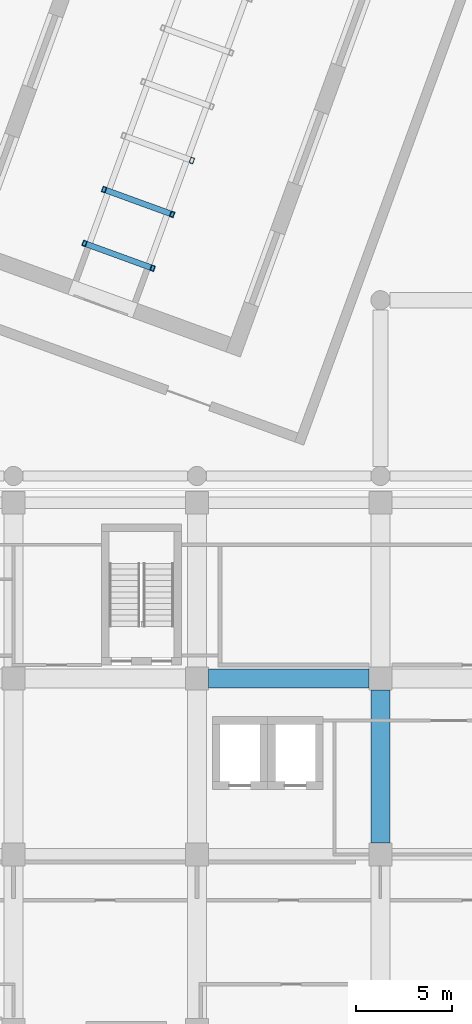
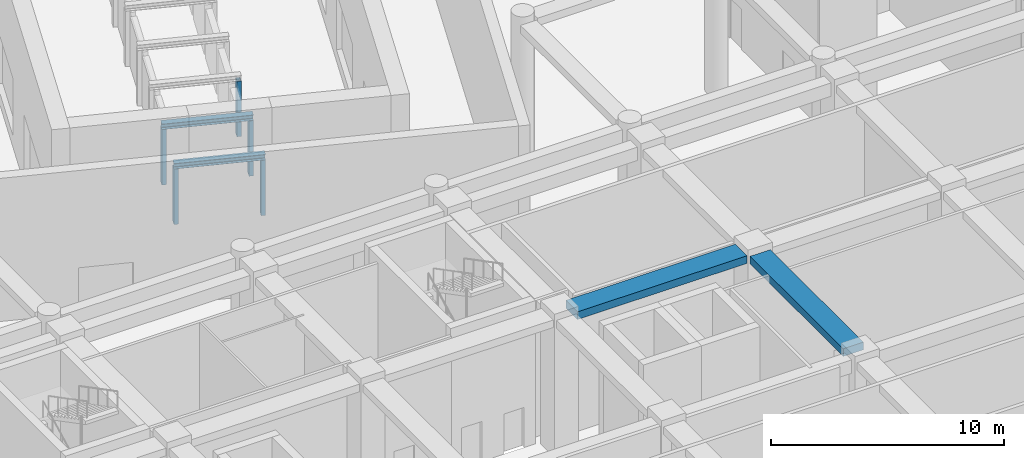
# One storey, part 2 of 36: 7 members, 2 beams.
"""IFC4 building model written with IfcOpenShell, lengths in metres."""

from ifc_helpers import new_model, si_unit, direction, frame, origin, origin_2d, place, context, subcontext, project, spatial, rectangle, hollow_rectangle, i_section, extrude, material, material_profile, profile_set, type_object, element, save


model = new_model("IFC4")

# Units and contexts
model_context = context("Model", 3, precision=1e-05, world=origin(), true_north=direction((0.0, 1.0)))
body_context = subcontext(model_context, "Body", "Model", "MODEL_VIEW")
ifc_project = project(units=[si_unit("LENGTHUNIT", "METRE"), si_unit("AREAUNIT", "SQUARE_METRE"), si_unit("VOLUMEUNIT", "CUBIC_METRE"), si_unit("PLANEANGLEUNIT", "RADIAN"), si_unit("MASSUNIT", "GRAM", prefix="KILO")], contexts=[model_context])

# Site, building, storey
site_placement = place(None, origin())
site = spatial("IfcSite", under=ifc_project, at=site_placement, CompositionType="ELEMENT")
building_placement = place(site_placement, origin())
building = spatial("IfcBuilding", under=site, at=building_placement, Name="Nzadi Deep Aquarium and Research Tower", CompositionType="ELEMENT")
storey_placement = place(building_placement, frame((0.0, 0.0, 14.199951171875)))
storey = spatial("IfcBuildingStorey", under=building, at=storey_placement, Name="L02", CompositionType="ELEMENT", Elevation=14.199951171875)

# Members
ifc_material_1 = material(Name="Steel S355", Category="steel")
ifc_material_profile_1 = material_profile(ifc_material_1, i_section(OverallWidth=0.300048828125, OverallDepth=0.2900390625, WebThickness=0.008544921875, FlangeThickness=0.013916015625, FilletRadius=0.027099609375, at=origin_2d()))
ifc_profile_set_1 = profile_set([ifc_material_profile_1], Name="Steel S355")
member_type_1 = type_object("IfcMemberType", Name="HEA 300", PredefinedType="MEMBER", material=ifc_profile_set_1)
for number, where, z_axis, x_axis, name in (
    (1, (22.81640625, 59.607666015625, 3.045166015625), (0.939706071622, -0.341983185197, 0.0), (0.341983185197, 0.939706071622, 0.0), "MB-TUN-R1-TOP"),
    (2, (23.842529296875, 62.4267578125, 3.045166015625), (0.939706071622, -0.341983185197, 0.0), (0.341983185197, 0.939706071622, 0.0), "MB-TUN-R2-TOP"),
):
    element("IfcMember", number, at=place(storey_placement, frame(where, z_axis=z_axis, x_axis=x_axis)), inside=storey, type_object=member_type_1, Name=name, PredefinedType="MEMBER", context=body_context, shape_type="SweptSolid", body=[
        extrude(i_section(OverallWidth=0.300048828125, OverallDepth=0.2900390625, WebThickness=0.008544921875, FlangeThickness=0.013916015625, FilletRadius=0.027099609375, at=origin_2d()), origin(), (0.0, 0.0, 1.0), 4.0),
    ])

# Beams
ifc_material_2 = material(Name="Concrete C35/45", Category="concrete")
ifc_material_profile_2 = material_profile(ifc_material_2, rectangle(XDim=1.0, YDim=0.39990234375, at=origin_2d()))
ifc_profile_set_2 = profile_set([ifc_material_profile_2], Name="Concrete C35/45")
beam_type = type_object("IfcBeamType", Name="RC 1000x400", PredefinedType="BEAM", material=ifc_profile_set_2)
beam_1_placement = place(storey_placement, frame((29.39990234375, 36.800048828125, 6.949951171875), z_axis=(1.0, 0.0, 0.0), x_axis=(0.0, 1.0, 0.0)))
element("IfcBeam", 3, at=beam_1_placement, inside=storey, type_object=beam_type, Name="B-Z1-L02-L5-4", PredefinedType="BEAM", context=body_context, shape_type="SweptSolid", body=[
    extrude(rectangle(XDim=1.0, YDim=0.39990234375, at=origin_2d()), origin(), (0.0, 0.0, 1.0), 8.400146484375),
])
beam_2_placement = place(storey_placement, frame((38.39990234375, 28.199951171875, 6.949951171875), z_axis=(0.0, 1.0, 0.0), x_axis=(-1.0, 0.0, 0.0)))
element("IfcBeam", 4, at=beam_2_placement, inside=storey, type_object=beam_type, Name="B-Z1-L02-CE-4-1", PredefinedType="BEAM", context=body_context, shape_type="SweptSolid", body=[
    extrude(rectangle(XDim=1.0, YDim=0.39990234375, at=origin_2d()), origin(), (0.0, 0.0, 1.0), 8.0),
])

# Members
ifc_material_3 = material(Name="Steel S355", Category="steel")
ifc_material_profile_3 = material_profile(ifc_material_3, hollow_rectangle(XDim=0.199951171875, YDim=0.300048828125, WallThickness=0.011962890625, at=origin_2d()))
ifc_profile_set_3 = profile_set([ifc_material_profile_3], Name="Steel S355")
member_type_2 = type_object("IfcMemberType", Name="RHS 300x200x12", PredefinedType="POST", material=ifc_profile_set_3)
for number, where, z_axis, x_axis, name in (
    (5, (22.910400390625, 59.573486328125, 0.0), (0.0, 0.0, 1.0), (0.939692620786, -0.342020143326, 0.0), "MB-TUN-R1-PW"),
    (6, (26.481201171875, 58.27392578125, 0.0), (0.0, 0.0, 1.0), (0.939692620786, -0.342020143326, 0.0), "MB-TUN-R1-PE"),
    (7, (23.9365234375, 62.392578125, 0.0), (0.0, 0.0, 1.0), (0.939692620786, -0.342020143326, 0.0), "MB-TUN-R2-PW"),
    (8, (27.50732421875, 61.093017578125, 0.0), (0.0, 0.0, 1.0), (0.939692620786, -0.342020143326, 0.0), "MB-TUN-R2-PE"),
    (9, (28.533203125, 63.912109375, 0.0), (0.0, 0.0, 1.0), (0.939692620786, -0.342020143326, 0.0), "MB-TUN-R3-PE"),
):
    element("IfcMember", number, at=place(storey_placement, frame(where, z_axis=z_axis, x_axis=x_axis)), inside=storey, type_object=member_type_2, Name=name, PredefinedType="POST", context=body_context, shape_type="SweptSolid", body=[
        extrude(hollow_rectangle(XDim=0.199951171875, YDim=0.300048828125, WallThickness=0.011962890625, at=origin_2d()), origin(), (0.0, 0.0, 1.0), 2.900146484375),
    ])

save(model, "model.ifc")
